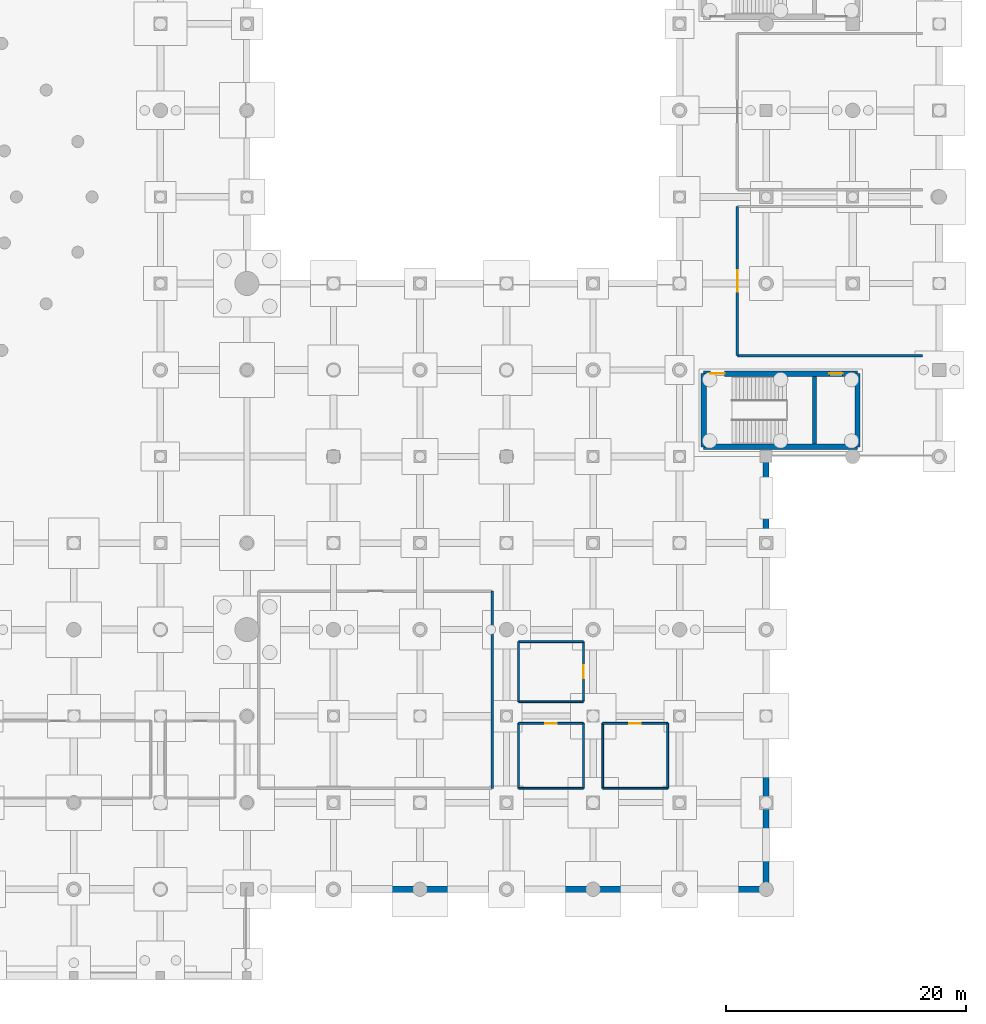
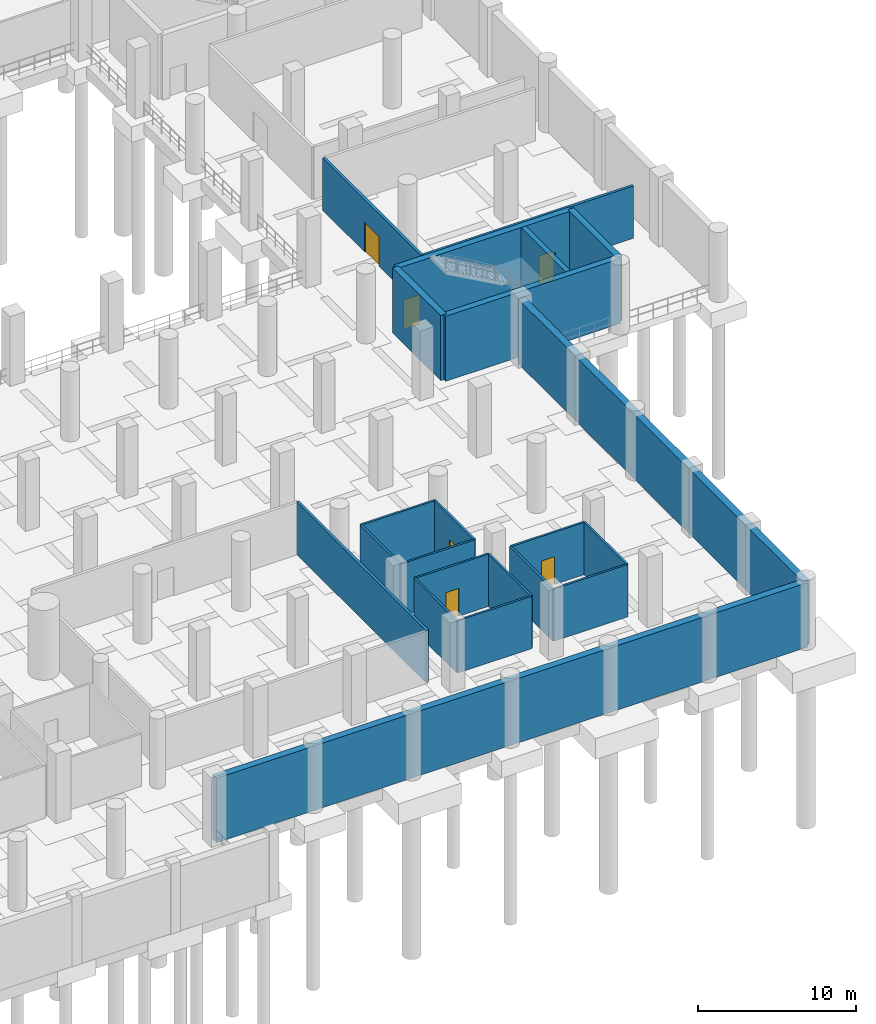
# One storey, part 27 of 37: 22 walls, 6 doors, 6 openings.
"""IFC4 building model written with IfcOpenShell, lengths in metres."""

from ifc_helpers import new_model, si_unit, direction, frame, frame_2d, origin, place, context, subcontext, project, spatial, rectangle, extrude, material, layer, layer_set, type_object, element, fill, save


model = new_model("IFC4")

# Units and contexts
model_context = context("Model", 3, precision=1e-05, world=origin(), true_north=direction((0.0, 1.0)))
body_context = subcontext(model_context, "Body", "Model", "MODEL_VIEW")
ifc_project = project(units=[si_unit("LENGTHUNIT", "METRE"), si_unit("AREAUNIT", "SQUARE_METRE"), si_unit("VOLUMEUNIT", "CUBIC_METRE"), si_unit("PLANEANGLEUNIT", "RADIAN"), si_unit("MASSUNIT", "GRAM", prefix="KILO")], contexts=[model_context])

# Site, building, storey
site_placement = place(None, origin())
site = spatial("IfcSite", under=ifc_project, at=site_placement, CompositionType="ELEMENT")
building_placement = place(site_placement, origin())
building = spatial("IfcBuilding", under=site, at=building_placement, Name="Qandorah Velis Arena", CompositionType="ELEMENT")
storey_placement = place(building_placement, frame((0.0, 0.0, -5.39990234375)))
storey = spatial("IfcBuildingStorey", under=building, at=storey_placement, Name="B1", CompositionType="ELEMENT", Elevation=-5.39990234375)

# Wall
ifc_material_1 = material(Name="Concrete C35/45", Category="concrete")
ifc_layer_1 = layer(ifc_material_1, 0.199951171875)
ifc_layer_set_1 = layer_set([ifc_layer_1], Name="Concrete C35/45")
wall_type_1 = type_object("IfcWallType", Name="ARC-WAL-FD60-200", PredefinedType="PARTITIONING", material=ifc_layer_set_1)
wall_1_placement = place(storey_placement, frame((156.0, 51.60009765625, 0.0), z_axis=(0.0, 0.0, 1.0), x_axis=(1.0, 0.0, 0.0)))
element("IfcWall", 1, at=wall_1_placement, inside=storey, type_object=wall_type_1, Name="Interior partition B1-PLT-CHL (S)", PredefinedType="PARTITIONING", context=body_context, shape_type="SweptSolid", body=[
    extrude(rectangle(XDim=15.39990234375, YDim=0.199951171875, at=frame_2d((7.699951171875, 0.0))), origin(), (0.0, 0.0, 1.0), 4.039794921875),
])

# Wall, opening, door
wall_2_placement = place(storey_placement, frame((156.0, 64.0, 0.0), z_axis=(0.0, 0.0, 1.0), x_axis=(0.0, -1.0, 0.0)))
wall_2 = element("IfcWall", 2, at=wall_2_placement, inside=storey, type_object=wall_type_1, Name="Interior partition B1-PLT-CHL (W)", PredefinedType="PARTITIONING", context=body_context, shape_type="SweptSolid", body=[
    extrude(rectangle(XDim=12.39990234375, YDim=0.199951171875, at=frame_2d((6.199951171875, 0.0))), origin(), (0.0, 0.0, 1.0), 4.039794921875),
])
opening_1_placement = place(wall_2_placement, frame((5.300048828125, 0.0, 0.0)))
opening_1 = element("IfcOpeningElement", 3, at=opening_1_placement, cuts=wall_2, Name="Opening FD1", PredefinedType="OPENING", context=body_context, shape_type="SweptSolid", body=[
    extrude(rectangle(XDim=1.800048828125, YDim=2.300048828125, at=frame_2d((0.89990234375, 1.14990234375))), frame((0.0, 0.10986328125, 0.0), z_axis=(0.0, -1.0, 0.0), x_axis=(1.0, 0.0, 0.0)), (0.0, 0.0, 1.0), 0.219970703125),
])
ifc_material_2 = material(Name="Insulated fire-rated double steel door", Category="steel")
door_type_1 = type_object("IfcDoorType", Name="ARC-DR-FD1800", OperationType="NOTDEFINED", PredefinedType="DOOR", material=ifc_material_2)
door_1_placement = place(opening_1_placement, frame((1.800048828125, 0.0, 0.0), z_axis=(0.0, 0.0, 1.0), x_axis=(-1.0, 0.0, 0.0)))
door_1 = element("IfcDoor", 4, at=door_1_placement, inside=storey, type_object=door_type_1, Name="Door B1-PLT-CHL", OperationType="DOUBLE_DOOR_SINGLE_SWING", OverallHeight=2.300048828125, OverallWidth=1.800048828125, PredefinedType="DOOR", context=body_context, shape_type="SweptSolid", body=[
    extrude(rectangle(XDim=1.800048828125, YDim=2.300048828125, at=frame_2d((0.89990234375, 1.14990234375))), frame((0.0, 0.02490234375, 0.0), z_axis=(0.0, -1.0, 0.0), x_axis=(1.0, 0.0, 0.0)), (0.0, 0.0, 1.0), 0.050048828125),
])
fill(opening_1, door_1)

# Walls
wall_3_placement = place(storey_placement, frame((135.60009765625, 15.60009765625, 0.0), z_axis=(0.0, 0.0, 1.0), x_axis=(0.0, 1.0, 0.0)))
element("IfcWall", 5, at=wall_3_placement, inside=storey, type_object=wall_type_1, Name="Interior partition B1-PLT-FIR (E)", PredefinedType="PARTITIONING", context=body_context, shape_type="SweptSolid", body=[
    extrude(rectangle(XDim=16.39990234375, YDim=0.199951171875, at=frame_2d((8.199951171875, 0.0))), origin(), (0.0, 0.0, 1.0), 4.039794921875),
])
ifc_layer_2 = layer(ifc_material_1, 0.14990234375)
ifc_layer_set_2 = layer_set([ifc_layer_2], Name="Concrete C35/45")
wall_type_2 = type_object("IfcWallType", Name="ARC-WAL-PART150", PredefinedType="PARTITIONING", material=ifc_layer_set_2)
for number, where, z_axis, x_axis, name in (
    (6, (137.800048828125, 15.60009765625, 0.0), (0.0, 0.0, 1.0), (1.0, 0.0, 0.0), "Interior partition B1-B1-MWC (S)"),
    (7, (143.199951171875, 15.60009765625, 0.0), (0.0, 0.0, 1.0), (0.0, 1.0, 0.0), "Interior partition B1-B1-MWC (E)"),
):
    element("IfcWall", number, at=place(storey_placement, frame(where, z_axis=z_axis, x_axis=x_axis)), inside=storey, type_object=wall_type_2, Name=name, PredefinedType="PARTITIONING", context=body_context, shape_type="SweptSolid", body=[
        extrude(rectangle(XDim=5.39990234375, YDim=0.14990234375, at=frame_2d((2.699951171875, 0.0))), origin(), (0.0, 0.0, 1.0), 4.039794921875),
    ])

# Wall, opening, door
wall_4_placement = place(storey_placement, frame((143.199951171875, 21.0, 0.0), z_axis=(0.0, 0.0, 1.0), x_axis=(-1.0, 0.0, 0.0)))
wall_4 = element("IfcWall", 8, at=wall_4_placement, inside=storey, type_object=wall_type_2, Name="Interior partition B1-B1-MWC (N)", PredefinedType="PARTITIONING", context=body_context, shape_type="SweptSolid", body=[
    extrude(rectangle(XDim=5.39990234375, YDim=0.14990234375, at=frame_2d((2.699951171875, 0.0))), origin(), (0.0, 0.0, 1.0), 4.039794921875),
])
opening_2_placement = place(wall_4_placement, frame((2.22509765625, 0.0, 0.0)))
opening_2 = element("IfcOpeningElement", 9, at=opening_2_placement, cuts=wall_4, Name="Opening D4", PredefinedType="OPENING", context=body_context, shape_type="SweptSolid", body=[
    extrude(rectangle(XDim=0.949951171875, YDim=2.14990234375, at=frame_2d((0.47509765625, 1.074951171875))), frame((0.0, 0.0849609375, 0.0), z_axis=(0.0, -1.0, 0.0), x_axis=(1.0, 0.0, 0.0)), (0.0, 0.0, 1.0), 0.169921875),
])
ifc_material_3 = material(Name="Moisture-resistant laminate door")
door_type_2 = type_object("IfcDoorType", Name="ARC-DR-WC950", OperationType="NOTDEFINED", PredefinedType="DOOR", material=ifc_material_3)
door_2_placement = place(opening_2_placement, frame((0.949951171875, 0.0, 0.0), z_axis=(0.0, 0.0, 1.0), x_axis=(-1.0, 0.0, 0.0)))
door_2 = element("IfcDoor", 10, at=door_2_placement, inside=storey, type_object=door_type_2, Name="Door B1-B1-MWC", OperationType="SINGLE_SWING_RIGHT", OverallHeight=2.14990234375, OverallWidth=0.949951171875, PredefinedType="DOOR", context=body_context, shape_type="SweptSolid", body=[
    extrude(rectangle(XDim=0.949951171875, YDim=2.14990234375, at=frame_2d((0.47509765625, 1.074951171875))), frame((0.0, 0.02490234375, 0.0), z_axis=(0.0, -1.0, 0.0), x_axis=(1.0, 0.0, 0.0)), (0.0, 0.0, 1.0), 0.050048828125),
])
fill(opening_2, door_2)

# Walls
for number, where, z_axis, x_axis, name in (
    (11, (137.800048828125, 21.0, 0.0), (0.0, 0.0, 1.0), (0.0, -1.0, 0.0), "Interior partition B1-B1-MWC (W)"),
    (12, (144.800048828125, 15.60009765625, 0.0), (0.0, 0.0, 1.0), (1.0, 0.0, 0.0), "Interior partition B1-B1-FWC (S)"),
    (13, (150.199951171875, 15.60009765625, 0.0), (0.0, 0.0, 1.0), (0.0, 1.0, 0.0), "Interior partition B1-B1-FWC (E)"),
):
    element("IfcWall", number, at=place(storey_placement, frame(where, z_axis=z_axis, x_axis=x_axis)), inside=storey, type_object=wall_type_2, Name=name, PredefinedType="PARTITIONING", context=body_context, shape_type="SweptSolid", body=[
        extrude(rectangle(XDim=5.39990234375, YDim=0.14990234375, at=frame_2d((2.699951171875, 0.0))), origin(), (0.0, 0.0, 1.0), 4.039794921875),
    ])

# Wall, opening, door
wall_5_placement = place(storey_placement, frame((150.199951171875, 21.0, 0.0), z_axis=(0.0, 0.0, 1.0), x_axis=(-1.0, 0.0, 0.0)))
wall_5 = element("IfcWall", 14, at=wall_5_placement, inside=storey, type_object=wall_type_2, Name="Interior partition B1-B1-FWC (N)", PredefinedType="PARTITIONING", context=body_context, shape_type="SweptSolid", body=[
    extrude(rectangle(XDim=5.39990234375, YDim=0.14990234375, at=frame_2d((2.699951171875, 0.0))), origin(), (0.0, 0.0, 1.0), 4.039794921875),
])
opening_3_placement = place(wall_5_placement, frame((2.22509765625, 0.0, 0.0)))
opening_3 = element("IfcOpeningElement", 15, at=opening_3_placement, cuts=wall_5, Name="Opening D4", PredefinedType="OPENING", context=body_context, shape_type="SweptSolid", body=[
    extrude(rectangle(XDim=0.949951171875, YDim=2.14990234375, at=frame_2d((0.47509765625, 1.074951171875))), frame((0.0, 0.0849609375, 0.0), z_axis=(0.0, -1.0, 0.0), x_axis=(1.0, 0.0, 0.0)), (0.0, 0.0, 1.0), 0.169921875),
])
door_3_placement = place(opening_3_placement, origin())
door_3 = element("IfcDoor", 16, at=door_3_placement, inside=storey, type_object=door_type_2, Name="Door B1-B1-FWC", OperationType="SINGLE_SWING_LEFT", OverallHeight=2.14990234375, OverallWidth=0.949951171875, PredefinedType="DOOR", context=body_context, shape_type="SweptSolid", body=[
    extrude(rectangle(XDim=0.949951171875, YDim=2.14990234375, at=frame_2d((0.47509765625, 1.074951171875))), frame((0.0, 0.02490234375, 0.0), z_axis=(0.0, -1.0, 0.0), x_axis=(1.0, 0.0, 0.0)), (0.0, 0.0, 1.0), 0.050048828125),
])
fill(opening_3, door_3)

# Walls
for number, where, z_axis, x_axis, name in (
    (17, (144.800048828125, 21.0, 0.0), (0.0, 0.0, 1.0), (0.0, -1.0, 0.0), "Interior partition B1-B1-FWC (W)"),
    (18, (137.800048828125, 22.800048828125, 0.0), (0.0, 0.0, 1.0), (1.0, 0.0, 0.0), "Interior partition B1-B1-AWC (S)"),
):
    element("IfcWall", number, at=place(storey_placement, frame(where, z_axis=z_axis, x_axis=x_axis)), inside=storey, type_object=wall_type_2, Name=name, PredefinedType="PARTITIONING", context=body_context, shape_type="SweptSolid", body=[
        extrude(rectangle(XDim=5.39990234375, YDim=0.14990234375, at=frame_2d((2.699951171875, 0.0))), origin(), (0.0, 0.0, 1.0), 4.039794921875),
    ])

# Wall, opening, door
wall_6_placement = place(storey_placement, frame((143.199951171875, 22.800048828125, 0.0), z_axis=(0.0, 0.0, 1.0), x_axis=(0.0, 1.0, 0.0)))
wall_6 = element("IfcWall", 19, at=wall_6_placement, inside=storey, type_object=wall_type_2, Name="Interior partition B1-B1-AWC (E)", PredefinedType="PARTITIONING", context=body_context, shape_type="SweptSolid", body=[
    extrude(rectangle(XDim=5.0, YDim=0.14990234375, at=frame_2d((2.5, 0.0))), origin(), (0.0, 0.0, 1.0), 4.039794921875),
])
opening_4_placement = place(wall_6_placement, frame((1.97509765625, 0.0, 0.0)))
opening_4 = element("IfcOpeningElement", 20, at=opening_4_placement, cuts=wall_6, Name="Opening D6", PredefinedType="OPENING", context=body_context, shape_type="SweptSolid", body=[
    extrude(rectangle(XDim=1.050048828125, YDim=2.199951171875, at=frame_2d((0.52490234375, 1.10009765625))), frame((0.0, 0.0849609375, 0.0), z_axis=(0.0, -1.0, 0.0), x_axis=(1.0, 0.0, 0.0)), (0.0, 0.0, 1.0), 0.169921875),
])
ifc_material_4 = material(Name="Accessible wide-leaf lever-handle door")
door_type_3 = type_object("IfcDoorType", Name="ARC-DR-ACC1050", OperationType="NOTDEFINED", PredefinedType="DOOR", material=ifc_material_4)
door_4_placement = place(opening_4_placement, frame((1.050048828125, 0.0, 0.0), z_axis=(0.0, 0.0, 1.0), x_axis=(-1.0, 0.0, 0.0)))
door_4 = element("IfcDoor", 21, at=door_4_placement, inside=storey, type_object=door_type_3, Name="Door B1-B1-AWC", OperationType="SINGLE_SWING_RIGHT", OverallHeight=2.199951171875, OverallWidth=1.050048828125, PredefinedType="DOOR", context=body_context, shape_type="SweptSolid", body=[
    extrude(rectangle(XDim=1.050048828125, YDim=2.199951171875, at=frame_2d((0.52490234375, 1.10009765625))), frame((0.0, 0.02490234375, 0.0), z_axis=(0.0, -1.0, 0.0), x_axis=(1.0, 0.0, 0.0)), (0.0, 0.0, 1.0), 0.050048828125),
])
fill(opening_4, door_4)

# Walls
wall_7_placement = place(storey_placement, frame((143.199951171875, 27.800048828125, 0.0), z_axis=(0.0, 0.0, 1.0), x_axis=(-1.0, 0.0, 0.0)))
element("IfcWall", 22, at=wall_7_placement, inside=storey, type_object=wall_type_2, Name="Interior partition B1-B1-AWC (N)", PredefinedType="PARTITIONING", context=body_context, shape_type="SweptSolid", body=[
    extrude(rectangle(XDim=5.39990234375, YDim=0.14990234375, at=frame_2d((2.699951171875, 0.0))), origin(), (0.0, 0.0, 1.0), 4.039794921875),
])
wall_8_placement = place(storey_placement, frame((137.800048828125, 27.800048828125, 0.0), z_axis=(0.0, 0.0, 1.0), x_axis=(0.0, -1.0, 0.0)))
element("IfcWall", 23, at=wall_8_placement, inside=storey, type_object=wall_type_2, Name="Interior partition B1-B1-AWC (W)", PredefinedType="PARTITIONING", context=body_context, shape_type="SweptSolid", body=[
    extrude(rectangle(XDim=5.0, YDim=0.14990234375, at=frame_2d((2.5, 0.0))), origin(), (0.0, 0.0, 1.0), 4.039794921875),
])
ifc_material_5 = material(Name="Concrete C40/50", Category="concrete")
ifc_layer_3 = layer(ifc_material_5, 0.449951171875)
ifc_layer_set_3 = layer_set([ifc_layer_3], Name="Concrete C40/50")
wall_type_3 = type_object("IfcWallType", Name="STR-WAL-CORE450", PredefinedType="SHEAR", material=ifc_layer_set_3)
wall_9_placement = place(storey_placement, frame((153.199951171875, 44.0, 0.0), z_axis=(0.0, 0.0, 1.0), x_axis=(1.0, 0.0, 0.0)))
element("IfcWall", 24, at=wall_9_placement, inside=storey, type_object=wall_type_3, Name="Core CORE-07 shear wall S (B1)", PredefinedType="SHEAR", context=body_context, shape_type="SweptSolid", body=[
    extrude(rectangle(XDim=12.800048828125, YDim=0.449951171875, at=frame_2d((6.39990234375, 0.0))), origin(), (0.0, 0.0, 1.0), 5.02001953125),
])

# Wall, openings, doors
wall_10_placement = place(storey_placement, frame((153.199951171875, 50.10009765625, 0.0), z_axis=(0.0, 0.0, 1.0), x_axis=(1.0, 0.0, 0.0)))
wall_10 = element("IfcWall", 25, at=wall_10_placement, inside=storey, type_object=wall_type_3, Name="Core CORE-07 shear wall N (B1)", PredefinedType="SHEAR", context=body_context, shape_type="SweptSolid", body=[
    extrude(rectangle(XDim=12.800048828125, YDim=0.449951171875, at=frame_2d((6.39990234375, 0.0))), origin(), (0.0, 0.0, 1.0), 5.02001953125),
])
opening_5_placement = place(wall_10_placement, frame((0.550048828125, 0.0, 0.0)))
opening_5 = element("IfcOpeningElement", 26, at=opening_5_placement, cuts=wall_10, Name="Opening SD1", PredefinedType="OPENING", context=body_context, shape_type="SweptSolid", body=[
    extrude(rectangle(XDim=1.199951171875, YDim=2.25, at=frame_2d((0.60009765625, 1.125))), frame((0.0, 0.23486328125, 0.0), z_axis=(0.0, -1.0, 0.0), x_axis=(1.0, 0.0, 0.0)), (0.0, 0.0, 1.0), 0.469970703125),
])
opening_6_placement = place(wall_10_placement, frame((10.4580078125, 0.0, 0.0)))
opening_6 = element("IfcOpeningElement", 27, at=opening_6_placement, cuts=wall_10, Name="Opening LD1", PredefinedType="OPENING", context=body_context, shape_type="SweptSolid", body=[
    extrude(rectangle(XDim=1.10009765625, YDim=2.199951171875, at=frame_2d((0.550048828125, 1.10009765625))), frame((0.0, 0.23486328125, 0.0), z_axis=(0.0, -1.0, 0.0), x_axis=(1.0, 0.0, 0.0)), (0.0, 0.0, 1.0), 0.469970703125),
])
ifc_material_6 = material(Name="Stainless steel sliding lift landing door", Category="steel")
door_type_4 = type_object("IfcDoorType", Name="ARC-DR-LD1100", OperationType="NOTDEFINED", PredefinedType="DOOR", material=ifc_material_6)
door_5_placement = place(opening_6_placement, origin())
door_5 = element("IfcDoor", 28, at=door_5_placement, inside=storey, type_object=door_type_4, Name="Lift PL5 sliding landing door (B1)", OperationType="SLIDING_TO_LEFT", OverallHeight=2.199951171875, OverallWidth=1.10009765625, PredefinedType="DOOR", context=body_context, shape_type="SweptSolid", body=[
    extrude(rectangle(XDim=1.10009765625, YDim=2.199951171875, at=frame_2d((0.550048828125, 1.10009765625))), frame((0.0, 0.02490234375, 0.0), z_axis=(0.0, -1.0, 0.0), x_axis=(1.0, 0.0, 0.0)), (0.0, 0.0, 1.0), 0.050048828125),
])
fill(opening_6, door_5)
ifc_material_7 = material(Name="Self-closing fire-rated stair steel door", Category="steel")
door_type_5 = type_object("IfcDoorType", Name="ARC-DR-ST1200", OperationType="NOTDEFINED", PredefinedType="DOOR", material=ifc_material_7)
door_6_placement = place(opening_5_placement, frame((1.199951171875, 0.0, 0.0), z_axis=(0.0, 0.0, 1.0), x_axis=(-1.0, 0.0, 0.0)))
door_6 = element("IfcDoor", 29, at=door_6_placement, inside=storey, type_object=door_type_5, Name="Stair ST7 fire door (B1)", OperationType="SINGLE_SWING_RIGHT", OverallHeight=2.25, OverallWidth=1.199951171875, PredefinedType="DOOR", context=body_context, shape_type="SweptSolid", body=[
    extrude(rectangle(XDim=1.199951171875, YDim=2.25, at=frame_2d((0.60009765625, 1.125))), frame((0.0, 0.02490234375, 0.0), z_axis=(0.0, -1.0, 0.0), x_axis=(1.0, 0.0, 0.0)), (0.0, 0.0, 1.0), 0.050048828125),
])
fill(opening_5, door_6)

# Walls
for number, where, z_axis, x_axis, name in (
    (30, (153.199951171875, 44.0, 0.0), (0.0, 0.0, 1.0), (0.0, 1.0, 0.0), "Core CORE-07 shear wall W (B1)"),
    (31, (166.0, 44.0, 0.0), (0.0, 0.0, 1.0), (0.0, 1.0, 0.0), "Core CORE-07 shear wall E (B1)"),
):
    element("IfcWall", number, at=place(storey_placement, frame(where, z_axis=z_axis, x_axis=x_axis)), inside=storey, type_object=wall_type_3, Name=name, PredefinedType="SHEAR", context=body_context, shape_type="SweptSolid", body=[
        extrude(rectangle(XDim=6.10009765625, YDim=0.449951171875, at=frame_2d((3.050048828125, 0.0))), origin(), (0.0, 0.0, 1.0), 5.02001953125),
    ])
ifc_layer_4 = layer(ifc_material_5, 0.5)
ifc_layer_set_4 = layer_set([ifc_layer_4], Name="Concrete C40/50")
wall_type_4 = type_object("IfcWallType", Name="STR-WAL-RET500", PredefinedType="USERDEFINED", material=ifc_layer_set_4)
wall_11_placement = place(storey_placement, frame((115.199951171875, 7.199951171875, 0.0), z_axis=(0.0, 0.0, 1.0), x_axis=(1.0, 0.0, 0.0)))
element("IfcWall", 32, at=wall_11_placement, inside=storey, type_object=wall_type_4, Name="Basement retaining wall RET-FOYER-S", ObjectType="RETAINING WALL", PredefinedType="USERDEFINED", context=body_context, shape_type="SweptSolid", body=[
    extrude(rectangle(XDim=43.199951171875, YDim=0.5, at=frame_2d((21.60009765625, 0.0))), origin(), (0.0, 0.0, 1.0), 4.97998046875),
])
wall_12_placement = place(storey_placement, frame((158.39990234375, 7.199951171875, 0.0), z_axis=(0.0, 0.0, 1.0), x_axis=(0.0, 1.0, 0.0)))
element("IfcWall", 33, at=wall_12_placement, inside=storey, type_object=wall_type_4, Name="Basement retaining wall RET-FOYER-E", ObjectType="RETAINING WALL", PredefinedType="USERDEFINED", context=body_context, shape_type="SweptSolid", body=[
    extrude(rectangle(XDim=36.0, YDim=0.5, at=frame_2d((18.0, 0.0))), origin(), (0.0, 0.0, 1.0), 4.97998046875),
])
ifc_layer_5 = layer(ifc_material_5, 0.35009765625)
ifc_layer_set_5 = layer_set([ifc_layer_5], Name="Concrete C40/50")
wall_type_5 = type_object("IfcWallType", Name="STR-WAL-SH350", PredefinedType="SHEAR", material=ifc_layer_set_5)
wall_13_placement = place(storey_placement, frame((162.416015625, 44.22509765625, 0.0), z_axis=(0.0, 0.0, 1.0), x_axis=(0.0, 1.0, 0.0)))
element("IfcWall", 34, at=wall_13_placement, inside=storey, type_object=wall_type_5, Name="Core CORE-07 shaft divider shear wall (B1)", PredefinedType="SHEAR", context=body_context, shape_type="SweptSolid", body=[
    extrude(rectangle(XDim=5.64990234375, YDim=0.35009765625, at=frame_2d((2.824951171875, 0.0))), origin(), (0.0, 0.0, 1.0), 5.02001953125),
])

save(model, "model.ifc")
